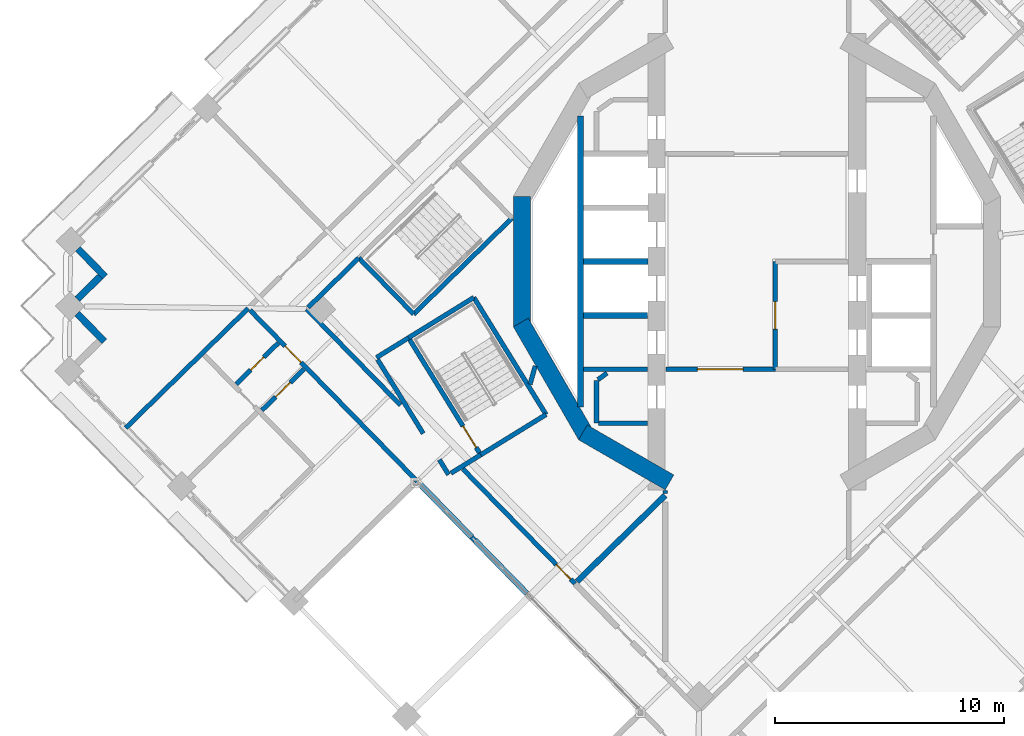
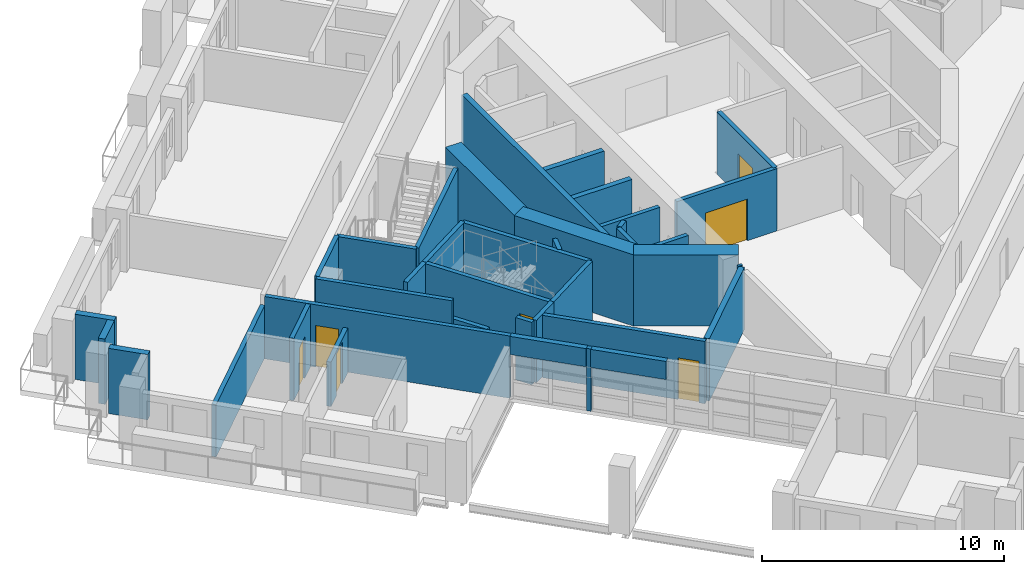
# One storey, part 7 of 19: 38 walls, 7 doors, 7 openings.
"""IFC4 building model written with IfcOpenShell, lengths in metres."""

from ifc_helpers import new_model, si_unit, direction, frame, frame_2d, origin, place, context, subcontext, project, spatial, rectangle, extrude, material, layer, layer_set, type_object, element, fill, save


model = new_model("IFC4")

# Units and contexts
model_context = context("Model", 3, precision=1e-05, world=origin(), true_north=direction((0.0, 1.0)))
body_context = subcontext(model_context, "Body", "Model", "MODEL_VIEW")
ifc_project = project(units=[si_unit("LENGTHUNIT", "METRE"), si_unit("AREAUNIT", "SQUARE_METRE"), si_unit("VOLUMEUNIT", "CUBIC_METRE"), si_unit("PLANEANGLEUNIT", "RADIAN"), si_unit("MASSUNIT", "GRAM", prefix="KILO")], contexts=[model_context])

# Site, building, storey
site_placement = place(None, origin())
site = spatial("IfcSite", under=ifc_project, at=site_placement, CompositionType="ELEMENT")
building_placement = place(site_placement, origin())
building = spatial("IfcBuilding", under=site, at=building_placement, Name="Cantera Rosa Tower", CompositionType="ELEMENT")
storey_placement = place(building_placement, frame((0.0, 0.0, 241.39990234375)))
storey = spatial("IfcBuildingStorey", under=building, at=storey_placement, Name="L53", CompositionType="ELEMENT", Elevation=241.39990234375)

# Wall
ifc_material_1 = material(Name="Gypsum board partition")
ifc_layer_1 = layer(ifc_material_1, 0.199951171875)
ifc_layer_set_1 = layer_set([ifc_layer_1], Name="CORRIDOR WALL 200 H2100")
wall_type_1 = type_object("IfcWallType", Name="CORRIDOR WALL 200 H2100", PredefinedType="PARTITIONING", material=ifc_layer_set_1)
wall_1_placement = place(storey_placement, frame((-16.548095703125, -4.274658203125, 0.0), z_axis=(0.0, 0.0, 1.0), x_axis=(0.524970357961, -0.851120510423, 0.0)))
element("IfcWall", 1, at=wall_1_placement, inside=storey, type_object=wall_type_1, Name="CORRIDOR WALL L53-016", PredefinedType="PARTITIONING", context=body_context, shape_type="SweptSolid", body=[
    extrude(rectangle(XDim=3.790771484375, YDim=0.199951171875, at=frame_2d((1.8955078125, 0.0))), origin(), (0.0, 0.0, 1.0), 2.10009765625),
])

# Wall, opening, door
ifc_material_2 = material(Name="Gypsum board partition")
ifc_layer_2 = layer(ifc_material_2, 0.199951171875)
ifc_layer_set_2 = layer_set([ifc_layer_2], Name="CORRIDOR WALL 200 H3150")
wall_type_2 = type_object("IfcWallType", Name="CORRIDOR WALL 200 H3150", PredefinedType="PARTITIONING", material=ifc_layer_set_2)
wall_2_placement = place(storey_placement, frame((-22.109130859375, -2.125732421875, 0.0), z_axis=(0.0, 0.0, 1.0), x_axis=(0.698828244321, -0.715289511274, 0.0)))
wall_2 = element("IfcWall", 2, at=wall_2_placement, inside=storey, type_object=wall_type_2, Name="CORRIDOR WALL L53-003", PredefinedType="PARTITIONING", context=body_context, shape_type="SweptSolid", body=[
    extrude(rectangle(XDim=10.544921875, YDim=0.199951171875, at=frame_2d((5.2724609375, 0.0))), origin(), (0.0, 0.0, 1.0), 3.150146484375),
])
opening_1_placement = place(wall_2_placement, frame((2.179931640625, 0.0, 0.0)))
opening_1 = element("IfcOpeningElement", 3, at=opening_1_placement, cuts=wall_2, Name="Opening L53-041", PredefinedType="OPENING", context=body_context, shape_type="SweptSolid", body=[
    extrude(rectangle(XDim=1.0, YDim=2.10009765625, at=frame_2d((0.5, 1.050048828125))), frame((0.0, 0.10986328125, 0.0), z_axis=(0.0, -1.0, 0.0), x_axis=(1.0, 0.0, 0.0)), (0.0, 0.0, 1.0), 0.219970703125),
])
ifc_material_3 = material(Name="Timber door leaf", Category="wood")
door_type_1 = type_object("IfcDoorType", Name="ENTRANCE DOOR 1000x2100", OperationType="NOTDEFINED", PredefinedType="DOOR", material=ifc_material_3)
door_1_placement = place(opening_1_placement, origin())
door_1 = element("IfcDoor", 4, at=door_1_placement, inside=storey, type_object=door_type_1, Name="DOOR L53-041", OperationType="NOTDEFINED", OverallHeight=2.10009765625, OverallWidth=1.0, PredefinedType="DOOR", context=body_context, shape_type="SweptSolid", body=[
    extrude(rectangle(XDim=1.0, YDim=2.10009765625, at=frame_2d((0.5, 1.050048828125))), frame((0.0, 0.02490234375, 0.0), z_axis=(0.0, -1.0, 0.0), x_axis=(1.0, 0.0, 0.0)), (0.0, 0.0, 1.0), 0.050048828125),
])
fill(opening_1, door_1)

# Walls
wall_3_placement = place(storey_placement, frame((-12.442138671875, -12.0205078125, 0.0), z_axis=(0.0, 0.0, 1.0), x_axis=(0.698874391949, -0.715244422752, 0.0)))
element("IfcWall", 5, at=wall_3_placement, inside=storey, type_object=wall_type_2, Name="CORRIDOR WALL L53-004", PredefinedType="PARTITIONING", context=body_context, shape_type="SweptSolid", body=[
    extrude(rectangle(XDim=0.19384765625, YDim=0.199951171875, at=frame_2d((0.096923828125, 0.0))), origin(), (0.0, 0.0, 1.0), 3.150146484375),
])
wall_4_placement = place(storey_placement, frame((-19.647705078125, -2.069580078125, 0.0), z_axis=(0.0, 0.0, 1.0), x_axis=(0.698845926006, -0.715272236079, 0.0)))
element("IfcWall", 6, at=wall_4_placement, inside=storey, type_object=wall_type_2, Name="CORRIDOR WALL L53-011", PredefinedType="PARTITIONING", context=body_context, shape_type="SweptSolid", body=[
    extrude(rectangle(XDim=5.870849609375, YDim=0.199951171875, at=frame_2d((2.935546875, 0.0))), origin(), (0.0, 0.0, 1.0), 3.150146484375),
])
wall_5_placement = place(storey_placement, frame((-17.36962890625, 0.156005859375, 0.0), z_axis=(0.0, 0.0, 1.0), x_axis=(-0.715289693103, -0.69882805821, 0.0)))
element("IfcWall", 7, at=wall_5_placement, inside=storey, type_object=wall_type_2, Name="CORRIDOR WALL L53-014", PredefinedType="PARTITIONING", context=body_context, shape_type="SweptSolid", body=[
    extrude(rectangle(XDim=3.084716796875, YDim=0.199951171875, at=frame_2d((1.54248046875, 0.0))), origin(), (0.0, 0.0, 1.0), 3.150146484375),
])
wall_6_placement = place(storey_placement, frame((-16.6005859375, -4.189697265625, 0.0), z_axis=(0.0, 0.0, 1.0), x_axis=(0.8510360128, 0.525107327047, 0.0)))
element("IfcWall", 8, at=wall_6_placement, inside=storey, type_object=wall_type_2, Name="CORRIDOR WALL L53-015", PredefinedType="PARTITIONING", context=body_context, shape_type="SweptSolid", body=[
    extrude(rectangle(XDim=1.64501953125, YDim=0.199951171875, at=frame_2d((0.822509765625, 0.0))), origin(), (0.0, 0.0, 1.0), 3.150146484375),
])
wall_7_placement = place(storey_placement, frame((-13.8525390625, -8.64501953125, 0.0), z_axis=(0.0, 0.0, 1.0), x_axis=(0.52482706305, -0.851208877944, 0.0)))
element("IfcWall", 9, at=wall_7_placement, inside=storey, type_object=wall_type_2, Name="CORRIDOR WALL L53-017", PredefinedType="PARTITIONING", context=body_context, shape_type="SweptSolid", body=[
    extrude(rectangle(XDim=0.76513671875, YDim=0.199951171875, at=frame_2d((0.382568359375, 0.0))), origin(), (0.0, 0.0, 1.0), 3.150146484375),
])
wall_8_placement = place(storey_placement, frame((-13.3486328125, -9.2333984375, 0.0), z_axis=(0.0, 0.0, 1.0), x_axis=(0.851042101438, 0.525097459126, 0.0)))
element("IfcWall", 10, at=wall_8_placement, inside=storey, type_object=wall_type_2, Name="CORRIDOR WALL L53-021", PredefinedType="PARTITIONING", context=body_context, shape_type="SweptSolid", body=[
    extrude(rectangle(XDim=1.52490234375, YDim=0.199951171875, at=frame_2d((0.762451171875, 0.0))), origin(), (0.0, 0.0, 1.0), 3.150146484375),
])

# Wall, opening, door
wall_9_placement = place(storey_placement, frame((-12.828125, -9.0498046875, 0.0), z_axis=(0.0, 0.0, 1.0), x_axis=(0.698835518471, -0.715282404455, 0.0)))
wall_9 = element("IfcWall", 11, at=wall_9_placement, inside=storey, type_object=wall_type_2, Name="CORRIDOR WALL L53-023", PredefinedType="PARTITIONING", context=body_context, shape_type="SweptSolid", body=[
    extrude(rectangle(XDim=6.99169921875, YDim=0.199951171875, at=frame_2d((3.495849609375, 0.0))), origin(), (0.0, 0.0, 1.0), 3.150146484375),
])
opening_2_placement = place(wall_9_placement, frame((5.830322265625, 0.0, 0.0)))
opening_2 = element("IfcOpeningElement", 12, at=opening_2_placement, cuts=wall_9, Name="Opening L53-009", PredefinedType="OPENING", context=body_context, shape_type="SweptSolid", body=[
    extrude(rectangle(XDim=0.89990234375, YDim=2.10009765625, at=frame_2d((0.449951171875, 1.050048828125))), frame((0.0, 0.10986328125, 0.0), z_axis=(0.0, -1.0, 0.0), x_axis=(1.0, 0.0, 0.0)), (0.0, 0.0, 1.0), 0.219970703125),
])
ifc_material_4 = material(Name="Timber door leaf", Category="wood")
door_type_2 = type_object("IfcDoorType", Name="SERVICE DOOR 900x2100", OperationType="NOTDEFINED", PredefinedType="DOOR", material=ifc_material_4)
door_2_placement = place(opening_2_placement, origin())
door_2 = element("IfcDoor", 13, at=door_2_placement, inside=storey, type_object=door_type_2, Name="DOOR L53-009", OperationType="NOTDEFINED", OverallHeight=2.10009765625, OverallWidth=0.89990234375, PredefinedType="DOOR", context=body_context, shape_type="SweptSolid", body=[
    extrude(rectangle(XDim=0.89990234375, YDim=2.10009765625, at=frame_2d((0.449951171875, 1.050048828125))), frame((0.0, 0.02490234375, 0.0), z_axis=(0.0, -1.0, 0.0), x_axis=(1.0, 0.0, 0.0)), (0.0, 0.0, 1.0), 0.050048828125),
])
fill(opening_2, door_2)

# Wall
wall_10_placement = place(storey_placement, frame((-4.0, -9.994140625, 0.0), z_axis=(0.0, 0.0, 1.0), x_axis=(0.0, -1.0, 0.0)))
element("IfcWall", 14, at=wall_10_placement, inside=storey, type_object=wall_type_2, Name="CORRIDOR WALL L53-055", PredefinedType="PARTITIONING", context=body_context, shape_type="SweptSolid", body=[
    extrude(rectangle(XDim=0.125, YDim=0.199951171875, at=frame_2d((0.0625, 0.0))), origin(), (0.0, 0.0, 1.0), 3.150146484375),
])

# Wall, opening, door
wall_11_placement = place(storey_placement, frame((0.800048828125, -4.699951171875, 0.0), z_axis=(0.0, 0.0, 1.0), x_axis=(-1.0, 0.0, 0.0)))
wall_11 = element("IfcWall", 15, at=wall_11_placement, inside=storey, type_object=wall_type_2, Name="CORRIDOR WALL L53-063", PredefinedType="PARTITIONING", context=body_context, shape_type="SweptSolid", body=[
    extrude(rectangle(XDim=4.77001953125, YDim=0.199951171875, at=frame_2d((2.385009765625, 0.0))), origin(), (0.0, 0.0, 1.0), 3.150146484375),
])
opening_3_placement = place(wall_11_placement, frame((1.39990234375, 0.0, 0.0)))
opening_3 = element("IfcOpeningElement", 16, at=opening_3_placement, cuts=wall_11, Name="Opening L53-015", PredefinedType="OPENING", context=body_context, shape_type="SweptSolid", body=[
    extrude(rectangle(XDim=2.0, YDim=2.10009765625, at=frame_2d((1.0, 1.050048828125))), frame((0.0, 0.10986328125, 0.0), z_axis=(0.0, -1.0, 0.0), x_axis=(1.0, 0.0, 0.0)), (0.0, 0.0, 1.0), 0.219970703125),
])
ifc_material_5 = material(Name="Steel S355J2 (EN 10025-2)", Category="steel")
door_type_3 = type_object("IfcDoorType", Name="LOBBY SCREEN DOOR 2000x2100", OperationType="NOTDEFINED", PredefinedType="DOOR", material=ifc_material_5)
door_3_placement = place(opening_3_placement, origin())
door_3 = element("IfcDoor", 17, at=door_3_placement, inside=storey, type_object=door_type_3, Name="DOOR L53-015", OperationType="NOTDEFINED", OverallHeight=2.10009765625, OverallWidth=2.0, PredefinedType="DOOR", context=body_context, shape_type="SweptSolid", body=[
    extrude(rectangle(XDim=2.0, YDim=2.10009765625, at=frame_2d((1.0, 1.050048828125))), frame((0.0, 0.02490234375, 0.0), z_axis=(0.0, -1.0, 0.0), x_axis=(1.0, 0.0, 0.0)), (0.0, 0.0, 1.0), 0.050048828125),
])
fill(opening_3, door_3)

# Walls
ifc_material_6 = material(Name="Hollow clay masonry with cantera stone cladding", Category="masonry")
ifc_layer_3 = layer(ifc_material_6, 0.300048828125)
ifc_layer_set_3 = layer_set([ifc_layer_3], Name="EW-LOGGIA 300")
wall_type_3 = type_object("IfcWallType", Name="EW-LOGGIA 300", PredefinedType="SOLIDWALL", material=ifc_layer_set_3)
wall_12_placement = place(storey_placement, frame((-29.623291015625, 0.556884765625, 0.0), z_axis=(0.0, 0.0, 1.0), x_axis=(0.69880105094, -0.715316077832, 0.0)))
element("IfcWall", 18, at=wall_12_placement, inside=storey, type_object=wall_type_3, Name="EN-L53-W12a", PredefinedType="SOLIDWALL", context=body_context, shape_type="SweptSolid", body=[
    extrude(rectangle(XDim=1.699951171875, YDim=0.300048828125, at=frame_2d((0.85009765625, 0.0))), origin(), (0.0, 0.0, 1.0), 3.300048828125),
])
wall_13_placement = place(storey_placement, frame((-28.6474609375, -0.65673828125, 0.0), z_axis=(0.0, 0.0, 1.0), x_axis=(-0.715341715727, -0.698774806172, 0.0)))
element("IfcWall", 19, at=wall_13_placement, inside=storey, type_object=wall_type_3, Name="EN-L53-W12b", PredefinedType="SOLIDWALL", context=body_context, shape_type="SweptSolid", body=[
    extrude(rectangle(XDim=1.39990234375, YDim=0.300048828125, at=frame_2d((0.699951171875, 0.0))), origin(), (0.0, 0.0, 1.0), 3.300048828125),
])
wall_14_placement = place(storey_placement, frame((-29.65625, -2.271484375, 0.0), z_axis=(0.0, 0.0, 1.0), x_axis=(0.698872839675, -0.715245939495, 0.0)))
element("IfcWall", 20, at=wall_14_placement, inside=storey, type_object=wall_type_3, Name="EN-L53-W13a", PredefinedType="SOLIDWALL", context=body_context, shape_type="SweptSolid", body=[
    extrude(rectangle(XDim=1.699951171875, YDim=0.300048828125, at=frame_2d((0.85009765625, 0.0))), origin(), (0.0, 0.0, 1.0), 3.300048828125),
])
ifc_material_7 = material(Name="Hollow clay masonry with cantera stone cladding", Category="masonry")
ifc_layer_4 = layer(ifc_material_7, 0.25)
ifc_layer_set_4 = layer_set([ifc_layer_4], Name="EW-POCKET REAR 250")
wall_type_4 = type_object("IfcWallType", Name="EW-POCKET REAR 250", PredefinedType="SOLIDWALL", material=ifc_layer_set_4)
wall_15_placement = place(storey_placement, frame((-14.739990234375, -9.66845703125, 2.234130859375), z_axis=(0.0, 0.0, 1.0), x_axis=(0.698817281293, -0.715300221842, 0.0)))
element("IfcWall", 21, at=wall_15_placement, inside=storey, type_object=wall_type_4, Name="POCKET SPANDREL L53-1", PredefinedType="SOLIDWALL", context=body_context, shape_type="SweptSolid", body=[
    extrude(rectangle(XDim=3.2880859375, YDim=0.25, at=frame_2d((1.64404296875, 0.0))), origin(), (0.0, 0.0, 1.0), 0.916015625),
])
wall_16_placement = place(storey_placement, frame((-12.306640625, -12.1591796875, 2.234130859375), z_axis=(0.0, 0.0, 1.0), x_axis=(0.698825427658, -0.715292263106, 0.0)))
element("IfcWall", 22, at=wall_16_placement, inside=storey, type_object=wall_type_4, Name="POCKET SPANDREL L53-2", PredefinedType="SOLIDWALL", context=body_context, shape_type="SweptSolid", body=[
    extrude(rectangle(XDim=3.246826171875, YDim=0.25, at=frame_2d((1.62353515625, 0.0))), origin(), (0.0, 0.0, 1.0), 0.916015625),
])

# Wall, opening, door
ifc_material_8 = material(Name="Gypsum board partition")
ifc_layer_5 = layer(ifc_material_8, 0.199951171875)
ifc_layer_set_5 = layer_set([ifc_layer_5], Name="PARTITION 200 H2250")
wall_type_5 = type_object("IfcWallType", Name="PARTITION 200 H2250", PredefinedType="PARTITIONING", material=ifc_layer_set_5)
wall_17_placement = place(storey_placement, frame((-19.76318359375, -4.698974609375, 0.0), z_axis=(0.0, 0.0, 1.0), x_axis=(-0.715308545243, -0.698808761466, 0.0)))
wall_17 = element("IfcWall", 23, at=wall_17_placement, inside=storey, type_object=wall_type_5, Name="PARTITION L53-010", PredefinedType="PARTITIONING", context=body_context, shape_type="SweptSolid", body=[
    extrude(rectangle(XDim=2.559814453125, YDim=0.199951171875, at=frame_2d((1.27978515625, 0.0))), origin(), (0.0, 0.0, 1.0), 2.25),
])
opening_4_placement = place(wall_17_placement, frame((0.830078125, 0.0, 0.0)))
opening_4 = element("IfcOpeningElement", 24, at=opening_4_placement, cuts=wall_17, Name="Opening L53-043", PredefinedType="OPENING", context=body_context, shape_type="SweptSolid", body=[
    extrude(rectangle(XDim=0.89990234375, YDim=2.10009765625, at=frame_2d((0.449951171875, 1.050048828125))), frame((0.0, 0.10986328125, 0.0), z_axis=(0.0, -1.0, 0.0), x_axis=(1.0, 0.0, 0.0)), (0.0, 0.0, 1.0), 0.219970703125),
])
ifc_material_9 = material(Name="Timber door leaf", Category="wood")
door_type_4 = type_object("IfcDoorType", Name="ROOM DOOR 900x2100", OperationType="NOTDEFINED", PredefinedType="DOOR", material=ifc_material_9)
door_4_placement = place(opening_4_placement, origin())
door_4 = element("IfcDoor", 25, at=door_4_placement, inside=storey, type_object=door_type_4, Name="DOOR L53-043", OperationType="NOTDEFINED", OverallHeight=2.10009765625, OverallWidth=0.89990234375, PredefinedType="DOOR", context=body_context, shape_type="SweptSolid", body=[
    extrude(rectangle(XDim=0.89990234375, YDim=2.10009765625, at=frame_2d((0.449951171875, 1.050048828125))), frame((0.0, 0.02490234375, 0.0), z_axis=(0.0, -1.0, 0.0), x_axis=(1.0, 0.0, 0.0)), (0.0, 0.0, 1.0), 0.050048828125),
])
fill(opening_4, door_4)

ifc_material_10 = material(Name="Gypsum board partition")
ifc_layer_6 = layer(ifc_material_10, 0.199951171875)
ifc_layer_set_6 = layer_set([ifc_layer_6], Name="PARTITION 200 H3150")
wall_type_6 = type_object("IfcWallType", Name="PARTITION 200 H3150", PredefinedType="PARTITIONING", material=ifc_layer_set_6)
wall_18_placement = place(storey_placement, frame((-20.881103515625, -3.554443359375, 0.0), z_axis=(0.0, 0.0, 1.0), x_axis=(-0.715307445705, -0.698809886965, 0.0)))
wall_18 = element("IfcWall", 26, at=wall_18_placement, inside=storey, type_object=wall_type_6, Name="PARTITION L53-009", PredefinedType="PARTITIONING", context=body_context, shape_type="SweptSolid", body=[
    extrude(rectangle(XDim=2.56005859375, YDim=0.199951171875, at=frame_2d((1.280029296875, 0.0))), origin(), (0.0, 0.0, 1.0), 3.150146484375),
])
opening_5_placement = place(wall_18_placement, frame((0.8798828125, 0.0, 0.0)))
opening_5 = element("IfcOpeningElement", 27, at=opening_5_placement, cuts=wall_18, Name="Opening L53-042", PredefinedType="OPENING", context=body_context, shape_type="SweptSolid", body=[
    extrude(rectangle(XDim=0.800048828125, YDim=2.10009765625, at=frame_2d((0.39990234375, 1.050048828125))), frame((0.0, 0.10986328125, 0.0), z_axis=(0.0, -1.0, 0.0), x_axis=(1.0, 0.0, 0.0)), (0.0, 0.0, 1.0), 0.219970703125),
])
ifc_material_11 = material(Name="Timber door leaf", Category="wood")
door_type_5 = type_object("IfcDoorType", Name="BATHROOM DOOR 800x2100", OperationType="NOTDEFINED", PredefinedType="DOOR", material=ifc_material_11)
door_5_placement = place(opening_5_placement, origin())
door_5 = element("IfcDoor", 28, at=door_5_placement, inside=storey, type_object=door_type_5, Name="DOOR L53-042", OperationType="NOTDEFINED", OverallHeight=2.10009765625, OverallWidth=0.800048828125, PredefinedType="DOOR", context=body_context, shape_type="SweptSolid", body=[
    extrude(rectangle(XDim=0.800048828125, YDim=2.10009765625, at=frame_2d((0.39990234375, 1.050048828125))), frame((0.0, 0.02490234375, 0.0), z_axis=(0.0, -1.0, 0.0), x_axis=(1.0, 0.0, 0.0)), (0.0, 0.0, 1.0), 0.050048828125),
])
fill(opening_5, door_5)

# Walls
wall_19_placement = place(storey_placement, frame((-9.898681640625, -5.354248046875, 0.0), z_axis=(0.0, 0.0, 1.0), x_axis=(0.272775267496, 0.96207777931, 0.0)))
element("IfcWall", 29, at=wall_19_placement, inside=storey, type_object=wall_type_6, Name="PARTITION L53-033", PredefinedType="PARTITIONING", context=body_context, shape_type="SweptSolid", body=[
    extrude(rectangle(XDim=0.828857421875, YDim=0.199951171875, at=frame_2d((0.41455078125, 0.0))), origin(), (0.0, 0.0, 1.0), 3.150146484375),
])
wall_20_placement = place(storey_placement, frame((-7.0, -7.050048828125, 0.0), z_axis=(0.0, 0.0, 1.0), x_axis=(0.0, 1.0, 0.0)))
element("IfcWall", 30, at=wall_20_placement, inside=storey, type_object=wall_type_6, Name="PARTITION L53-044", PredefinedType="PARTITIONING", context=body_context, shape_type="SweptSolid", body=[
    extrude(rectangle(XDim=1.85009765625, YDim=0.199951171875, at=frame_2d((0.925048828125, 0.0))), origin(), (0.0, 0.0, 1.0), 3.150146484375),
])
wall_21_placement = place(storey_placement, frame((-6.935302734375, -5.15283203125, 0.0), z_axis=(0.0, 0.0, 1.0), x_axis=(0.808368872862, 0.588676282338, 0.0)))
element("IfcWall", 31, at=wall_21_placement, inside=storey, type_object=wall_type_6, Name="PARTITION L53-045", PredefinedType="PARTITIONING", context=body_context, shape_type="SweptSolid", body=[
    extrude(rectangle(XDim=0.489013671875, YDim=0.199951171875, at=frame_2d((0.24462890625, 0.0))), origin(), (0.0, 0.0, 1.0), 3.150146484375),
])
wall_22_placement = place(storey_placement, frame((-4.780029296875, -7.050048828125, 0.0), z_axis=(0.0, 0.0, 1.0), x_axis=(-1.0, 0.0, 0.0)))
element("IfcWall", 32, at=wall_22_placement, inside=storey, type_object=wall_type_6, Name="PARTITION L53-050", PredefinedType="PARTITIONING", context=body_context, shape_type="SweptSolid", body=[
    extrude(rectangle(XDim=2.139892578125, YDim=0.199951171875, at=frame_2d((1.06982421875, 0.0))), origin(), (0.0, 0.0, 1.0), 3.150146484375),
])
wall_23_placement = place(storey_placement, frame((-4.780029296875, -4.699951171875, 0.0), z_axis=(0.0, 0.0, 1.0), x_axis=(-1.0, 0.0, 0.0)))
element("IfcWall", 33, at=wall_23_placement, inside=storey, type_object=wall_type_6, Name="PARTITION L53-051", PredefinedType="PARTITIONING", context=body_context, shape_type="SweptSolid", body=[
    extrude(rectangle(XDim=2.794921875, YDim=0.199951171875, at=frame_2d((1.3974609375, 0.0))), origin(), (0.0, 0.0, 1.0), 3.150146484375),
])
ifc_material_12 = material(Name="Gypsum board partition")
ifc_layer_7 = layer(ifc_material_12, 0.199951171875)
ifc_layer_set_7 = layer_set([ifc_layer_7], Name="PARTY WALL 200 H2650")
wall_type_7 = type_object("IfcWallType", Name="PARTY WALL 200 H2650", PredefinedType="PARTITIONING", material=ifc_layer_set_7)
wall_24_placement = place(storey_placement, frame((-22.193115234375, -2.0400390625, 0.0), z_axis=(0.0, 0.0, 1.0), x_axis=(-0.715278908715, -0.698839096465, 0.0)))
element("IfcWall", 34, at=wall_24_placement, inside=storey, type_object=wall_type_7, Name="PARTY WALL L53-002", PredefinedType="PARTITIONING", context=body_context, shape_type="SweptSolid", body=[
    extrude(rectangle(XDim=7.4697265625, YDim=0.199951171875, at=frame_2d((3.73486328125, 0.0))), origin(), (0.0, 0.0, 1.0), 2.650146484375),
])
ifc_material_13 = material(Name="Concrete C60/75", Category="concrete")
ifc_layer_8 = layer(ifc_material_13, 0.75)
ifc_layer_set_8 = layer_set([ifc_layer_8], Name="RC CORE WALL 750 C60/75")
wall_type_8 = type_object("IfcWallType", Name="RC CORE WALL 750 C60/75", PredefinedType="SHEAR", material=ifc_layer_set_8)
wall_25_placement = place(storey_placement, frame((-3.8125, -9.634765625, 0.0), z_axis=(0.0, 0.0, 1.0), x_axis=(-0.866013176292, 0.50002117804, 0.0)))
element("IfcWall", 35, at=wall_25_placement, inside=storey, type_object=wall_type_8, Name="CW-W1 L53", PredefinedType="SHEAR", context=body_context, shape_type="SweptSolid", body=[
    extrude(rectangle(XDim=4.362548828125, YDim=0.75, at=frame_2d((2.18115234375, 0.0))), origin(), (0.0, 0.0, 1.0), 3.60009765625),
])
wall_26_placement = place(storey_placement, frame((-7.453369140625, -7.590576171875, 0.0), z_axis=(0.0, 0.0, 1.0), x_axis=(-0.500021842983, 0.866012792365, 0.0)))
element("IfcWall", 36, at=wall_26_placement, inside=storey, type_object=wall_type_8, Name="CW-W2 L53", PredefinedType="SHEAR", context=body_context, shape_type="SweptSolid", body=[
    extrude(rectangle(XDim=5.694091796875, YDim=0.75, at=frame_2d((2.84716796875, 0.0))), origin(), (0.0, 0.0, 1.0), 3.60009765625),
])
wall_27_placement = place(storey_placement, frame((-10.250244140625, -2.846923828125, 0.0), z_axis=(0.0, 0.0, 1.0), x_axis=(0.0, 1.0, 0.0)))
element("IfcWall", 37, at=wall_27_placement, inside=storey, type_object=wall_type_8, Name="CW-W3 L53", PredefinedType="SHEAR", context=body_context, shape_type="SweptSolid", body=[
    extrude(rectangle(XDim=5.69384765625, YDim=0.75, at=frame_2d((2.846923828125, 0.0))), origin(), (0.0, 0.0, 1.0), 3.60009765625),
])
ifc_material_14 = material(Name="Masonry blockwork", Category="masonry")
ifc_layer_9 = layer(ifc_material_14, 0.25)
ifc_layer_set_9 = layer_set([ifc_layer_9], Name="SHAFT WALL 250 H3150")
wall_type_9 = type_object("IfcWallType", Name="SHAFT WALL 250 H3150", PredefinedType="SOLIDWALL", material=ifc_layer_set_9)
wall_28_placement = place(storey_placement, frame((-7.574951171875, -2.35009765625, 0.0), z_axis=(0.0, 0.0, 1.0), x_axis=(1.0, 0.0, 0.0)))
element("IfcWall", 38, at=wall_28_placement, inside=storey, type_object=wall_type_9, Name="SHAFT WALL L53-039", PredefinedType="SOLIDWALL", context=body_context, shape_type="SweptSolid", body=[
    extrude(rectangle(XDim=2.794921875, YDim=0.25, at=frame_2d((1.3974609375, 0.0))), origin(), (0.0, 0.0, 1.0), 3.150146484375),
])
wall_29_placement = place(storey_placement, frame((-7.574951171875, 0.0, 0.0), z_axis=(0.0, 0.0, 1.0), x_axis=(1.0, 0.0, 0.0)))
element("IfcWall", 39, at=wall_29_placement, inside=storey, type_object=wall_type_9, Name="SHAFT WALL L53-040", PredefinedType="SOLIDWALL", context=body_context, shape_type="SweptSolid", body=[
    extrude(rectangle(XDim=2.824951171875, YDim=0.25, at=frame_2d((1.41259765625, 0.0))), origin(), (0.0, 0.0, 1.0), 3.150146484375),
])
wall_30_placement = place(storey_placement, frame((-7.699951171875, 6.353515625, 0.0), z_axis=(0.0, 0.0, 1.0), x_axis=(0.0, -1.0, 0.0)))
element("IfcWall", 40, at=wall_30_placement, inside=storey, type_object=wall_type_9, Name="SHAFT WALL L53-043", PredefinedType="SOLIDWALL", context=body_context, shape_type="SweptSolid", body=[
    extrude(rectangle(XDim=12.70703125, YDim=0.25, at=frame_2d((6.353515625, 0.0))), origin(), (0.0, 0.0, 1.0), 3.150146484375),
])
wall_31_placement = place(storey_placement, frame((-4.0, -10.19921875, 0.0), z_axis=(0.0, 0.0, 1.0), x_axis=(-0.715285821778, -0.698832020705, 0.0)))
element("IfcWall", 41, at=wall_31_placement, inside=storey, type_object=wall_type_9, Name="SHAFT WALL L53-053", PredefinedType="SOLIDWALL", context=body_context, shape_type="SweptSolid", body=[
    extrude(rectangle(XDim=5.371337890625, YDim=0.25, at=frame_2d((2.685546875, 0.0))), origin(), (0.0, 0.0, 1.0), 3.150146484375),
])
ifc_material_15 = material(Name="Concrete C50/60", Category="concrete")
ifc_layer_10 = layer(ifc_material_15, 0.199951171875)
ifc_layer_set_10 = layer_set([ifc_layer_10], Name="STAIR WALL 200 H3150")
wall_type_10 = type_object("IfcWallType", Name="STAIR WALL 200 H3150", PredefinedType="SOLIDWALL", material=ifc_layer_set_10)
wall_32_placement = place(storey_placement, frame((-15.20068359375, -3.325927734375, 0.0), z_axis=(0.0, 0.0, 1.0), x_axis=(0.85113993661, 0.524938861495, 0.0)))
element("IfcWall", 42, at=wall_32_placement, inside=storey, type_object=wall_type_10, Name="STAIR WALL L53-018", PredefinedType="SOLIDWALL", context=body_context, shape_type="SweptSolid", body=[
    extrude(rectangle(XDim=3.35009765625, YDim=0.199951171875, at=frame_2d((1.675048828125, 0.0))), origin(), (0.0, 0.0, 1.0), 3.150146484375),
])
wall_33_placement = place(storey_placement, frame((-14.975341796875, -2.294677734375, 0.0), z_axis=(0.0, 0.0, 1.0), x_axis=(-0.698828566482, 0.715289196527, 0.0)))
element("IfcWall", 43, at=wall_33_placement, inside=storey, type_object=wall_type_10, Name="STAIR WALL L53-019", PredefinedType="SOLIDWALL", context=body_context, shape_type="SweptSolid", body=[
    extrude(rectangle(XDim=3.426025390625, YDim=0.199951171875, at=frame_2d((1.712890625, 0.0))), origin(), (0.0, 0.0, 1.0), 3.150146484375),
])
wall_34_placement = place(storey_placement, frame((-12.349365234375, -1.5673828125, 0.0), z_axis=(0.0, 0.0, 1.0), x_axis=(0.524982543144, -0.851112994493, 0.0)))
element("IfcWall", 44, at=wall_34_placement, inside=storey, type_object=wall_type_10, Name="STAIR WALL L53-024", PredefinedType="SOLIDWALL", context=body_context, shape_type="SweptSolid", body=[
    extrude(rectangle(XDim=6.0, YDim=0.199951171875, at=frame_2d((3.0, 0.0))), origin(), (0.0, 0.0, 1.0), 3.150146484375),
])

# Wall, opening, door
wall_35_placement = place(storey_placement, frame((-12.05078125, -8.4326171875, 0.0), z_axis=(0.0, 0.0, 1.0), x_axis=(-0.524982543144, 0.851112994493, 0.0)))
wall_35 = element("IfcWall", 45, at=wall_35_placement, inside=storey, type_object=wall_type_10, Name="STAIR WALL L53-026", PredefinedType="SOLIDWALL", context=body_context, shape_type="SweptSolid", body=[
    extrude(rectangle(XDim=6.0, YDim=0.199951171875, at=frame_2d((3.0, 0.0))), origin(), (0.0, 0.0, 1.0), 3.150146484375),
])
opening_6_placement = place(wall_35_placement, frame((0.375, 0.0, 0.0)))
opening_6 = element("IfcOpeningElement", 46, at=opening_6_placement, cuts=wall_35, Name="Opening L53-005", PredefinedType="OPENING", context=body_context, shape_type="SweptSolid", body=[
    extrude(rectangle(XDim=1.10009765625, YDim=2.10009765625, at=frame_2d((0.550048828125, 1.050048828125))), frame((0.0, 0.10986328125, 0.0), z_axis=(0.0, -1.0, 0.0), x_axis=(1.0, 0.0, 0.0)), (0.0, 0.0, 1.0), 0.219970703125),
])
ifc_material_16 = material(Name="Steel S355J2 (EN 10025-2)", Category="steel")
door_type_6 = type_object("IfcDoorType", Name="STAIR DOOR 1100x2100", OperationType="NOTDEFINED", PredefinedType="DOOR", material=ifc_material_16)
door_6_placement = place(opening_6_placement, origin())
door_6 = element("IfcDoor", 47, at=door_6_placement, inside=storey, type_object=door_type_6, Name="DOOR L53-005", OperationType="NOTDEFINED", OverallHeight=2.10009765625, OverallWidth=1.10009765625, PredefinedType="DOOR", context=body_context, shape_type="SweptSolid", body=[
    extrude(rectangle(XDim=1.10009765625, YDim=2.10009765625, at=frame_2d((0.550048828125, 1.050048828125))), frame((0.0, 0.02490234375, 0.0), z_axis=(0.0, -1.0, 0.0), x_axis=(1.0, 0.0, 0.0)), (0.0, 0.0, 1.0), 0.050048828125),
])
fill(opening_6, door_6)

# Walls
wall_36_placement = place(storey_placement, frame((-12.05078125, -8.4326171875, 0.0), z_axis=(0.0, 0.0, 1.0), x_axis=(0.85113993661, 0.524938861495, 0.0)))
element("IfcWall", 48, at=wall_36_placement, inside=storey, type_object=wall_type_10, Name="STAIR WALL L53-027", PredefinedType="SOLIDWALL", context=body_context, shape_type="SweptSolid", body=[
    extrude(rectangle(XDim=3.35009765625, YDim=0.199951171875, at=frame_2d((1.675048828125, 0.0))), origin(), (0.0, 0.0, 1.0), 3.150146484375),
])
wall_37_placement = place(storey_placement, frame((-10.68359375, 1.8984375, 0.0), z_axis=(0.0, 0.0, 1.0), x_axis=(-0.715278260946, -0.698839759471, 0.0)))
element("IfcWall", 49, at=wall_37_placement, inside=storey, type_object=wall_type_10, Name="STAIR WALL L53-029", PredefinedType="SOLIDWALL", context=body_context, shape_type="SweptSolid", body=[
    extrude(rectangle(XDim=6.0, YDim=0.199951171875, at=frame_2d((3.0, 0.0))), origin(), (0.0, 0.0, 1.0), 3.150146484375),
])

# Wall, opening, door
wall_38_placement = place(storey_placement, frame((0.800048828125, -4.699951171875, 0.0), z_axis=(0.0, 0.0, 1.0), x_axis=(0.0, 1.0, 0.0)))
wall_38 = element("IfcWall", 50, at=wall_38_placement, inside=storey, type_object=wall_type_10, Name="STAIR WALL L53-064", PredefinedType="SOLIDWALL", context=body_context, shape_type="SweptSolid", body=[
    extrude(rectangle(XDim=4.699951171875, YDim=0.199951171875, at=frame_2d((2.35009765625, 0.0))), origin(), (0.0, 0.0, 1.0), 3.150146484375),
])
opening_7_placement = place(wall_38_placement, frame((1.75, 0.0, 0.0)))
opening_7 = element("IfcOpeningElement", 51, at=opening_7_placement, cuts=wall_38, Name="Opening L53-016", PredefinedType="OPENING", context=body_context, shape_type="SweptSolid", body=[
    extrude(rectangle(XDim=1.199951171875, YDim=2.10009765625, at=frame_2d((0.60009765625, 1.050048828125))), frame((0.0, 0.10986328125, 0.0), z_axis=(0.0, -1.0, 0.0), x_axis=(1.0, 0.0, 0.0)), (0.0, 0.0, 1.0), 0.219970703125),
])
ifc_material_17 = material(Name="Steel S355J2 (EN 10025-2)", Category="steel")
door_type_7 = type_object("IfcDoorType", Name="FIRE DOOR 1200x2100", OperationType="NOTDEFINED", PredefinedType="DOOR", material=ifc_material_17)
door_7_placement = place(opening_7_placement, origin())
door_7 = element("IfcDoor", 52, at=door_7_placement, inside=storey, type_object=door_type_7, Name="DOOR L53-016", OperationType="NOTDEFINED", OverallHeight=2.10009765625, OverallWidth=1.199951171875, PredefinedType="DOOR", context=body_context, shape_type="SweptSolid", body=[
    extrude(rectangle(XDim=1.199951171875, YDim=2.10009765625, at=frame_2d((0.60009765625, 1.050048828125))), frame((0.0, 0.02490234375, 0.0), z_axis=(0.0, -1.0, 0.0), x_axis=(1.0, 0.0, 0.0)), (0.0, 0.0, 1.0), 0.050048828125),
])
fill(opening_7, door_7)

save(model, "model.ifc")
